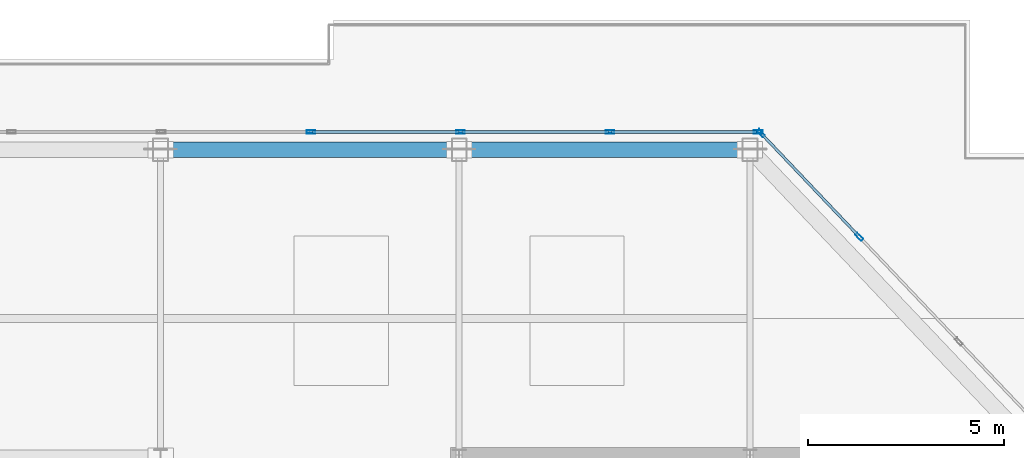
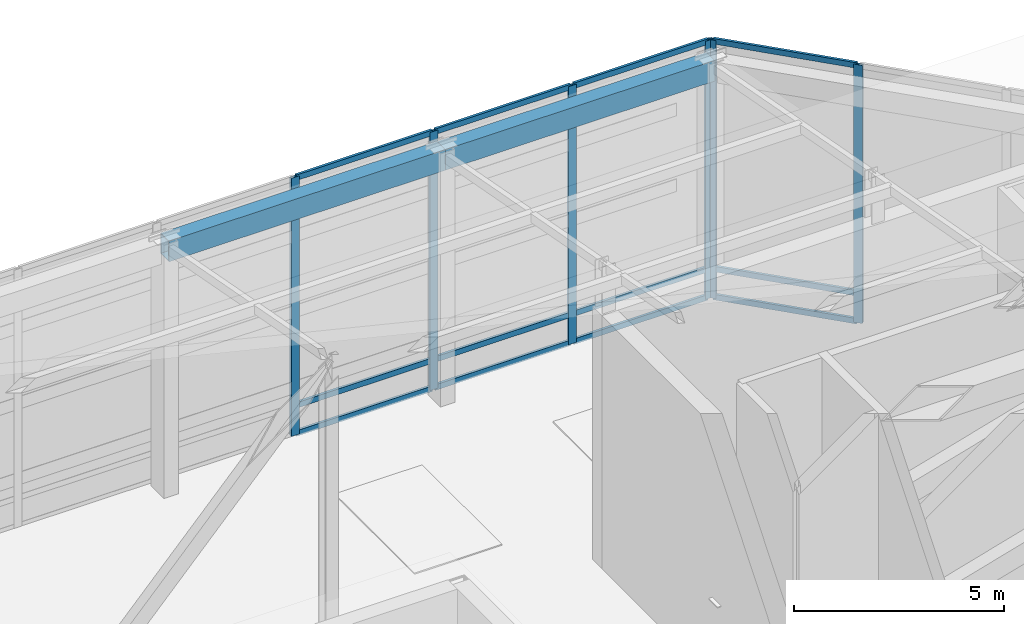
# One storey, part 19 of 25: 18 members, 2 beams, 2 elements without a shape of their own.
"""IFC4 building model written with IfcOpenShell, lengths in metres."""

from ifc_helpers import new_model, si_unit, direction, frame, origin, origin_2d, place, context, subcontext, project, spatial, hollow_rectangle, extrude, source, transform, mapped, material, layer, layer_set, material_profile, profile_set, type_object, type_shapes, element, aggregate, save


model = new_model("IFC4")

# Units and contexts
model_context = context("Model", 3, precision=1e-05, world=origin(), true_north=direction((0.0, 1.0)))
body_context = subcontext(model_context, "Body", "Model", "MODEL_VIEW")
ifc_project = project(units=[si_unit("LENGTHUNIT", "METRE"), si_unit("AREAUNIT", "SQUARE_METRE"), si_unit("VOLUMEUNIT", "CUBIC_METRE"), si_unit("PLANEANGLEUNIT", "RADIAN"), si_unit("MASSUNIT", "GRAM", prefix="KILO")], contexts=[model_context])

# Site, building, storey
site_placement = place(None, origin())
site = spatial("IfcSite", under=ifc_project, at=site_placement, CompositionType="ELEMENT")
building_placement = place(site_placement, origin())
building = spatial("IfcBuilding", under=site, at=building_placement, Name="Haelvirn Gate Laboratories", CompositionType="ELEMENT")
storey_placement = place(building_placement, frame((0.0, 0.0, 337.800048828125)))
storey = spatial("IfcBuildingStorey", under=building, at=storey_placement, Name="RF", CompositionType="ELEMENT", Elevation=337.800048828125)

# Beams
ifc_material_1 = material(Name="Steel SM420", Category="steel")
ifc_material_profile_1 = material_profile(ifc_material_1, hollow_rectangle(XDim=0.39990234375, YDim=0.60009765625, WallThickness=0.02490234375, at=origin_2d()), Name="BOX-600x400x25")
ifc_profile_set_1 = profile_set([ifc_material_profile_1], Name="Steel SM420")
beam_type = type_object("IfcBeamType", Name="BM-CROWN-CAP", PredefinedType="USERDEFINED", material=ifc_profile_set_1)
shared_shape_1 = source(origin(), body_context, "Body", "SweptSolid", [
    extrude(hollow_rectangle(XDim=0.39990234375, YDim=0.60009765625, WallThickness=0.02490234375, at=origin_2d()), origin(), (0.0, 0.0, 1.0), 7.39990234375),
])
beam_1_placement = place(storey_placement, frame((60.0, 41.60009765625, 7.050048828125), z_axis=(-1.0, 0.0, 0.0), x_axis=(0.0, -1.0, 0.0)))
element("IfcBeam", 1, at=beam_1_placement, inside=storey, type_object=beam_type, Name="RF Crown Frame Cap Ring Beam N7-N6", ObjectType="CROWN FRAME", PredefinedType="USERDEFINED", context=body_context, shape_type="MappedRepresentation", body=[
    mapped(shared_shape_1, transform((0.0, 0.0, 0.0), scale=1.0)),
])
shared_shape_2 = source(origin(), body_context, "Body", "SweptSolid", [
    extrude(hollow_rectangle(XDim=0.39990234375, YDim=0.60009765625, WallThickness=0.02490234375, at=origin_2d()), origin(), (0.0, 0.0, 1.0), 7.60009765625),
])
type_shapes(beam_type, [shared_shape_1, shared_shape_2])
beam_2_placement = place(storey_placement, frame((52.60009765625, 41.60009765625, 7.050048828125), z_axis=(-1.0, 0.0, 0.0), x_axis=(0.0, -1.0, 0.0)))
element("IfcBeam", 2, at=beam_2_placement, inside=storey, type_object=beam_type, Name="RF Crown Frame Cap Ring Beam N6-N5", ObjectType="CROWN FRAME", PredefinedType="USERDEFINED", context=body_context, shape_type="MappedRepresentation", body=[
    mapped(shared_shape_2, transform((0.0, 0.0, 0.0), scale=1.0)),
])

# Curtain wall, members
ifc_material_2 = material(Name="Anodised bronze unitised aluminium & triple low-E glass", Category="aluminium")
ifc_layer = layer(ifc_material_2, 0.19189453125, Name="CW-SYS-6")
ifc_layer_set = layer_set([ifc_layer], Name="Anodised bronze unitised aluminium & triple low-E glass")
curtain_wall_type = type_object("IfcCurtainWallType", Name="CW-SYS-6", PredefinedType="NOTDEFINED", material=ifc_layer_set)
curtain_wall_1_placement = place(storey_placement, origin())
curtain_wall_1 = element("IfcCurtainWall", 3, at=curtain_wall_1_placement, inside=storey, type_object=curtain_wall_type, Name="RF Unitised Curtain Wall CW-RF-RING-03", PredefinedType="NOTDEFINED")
ifc_material_3 = material(Name="Extruded aluminium 6063-T6 (anodised bronze)", Category="aluminium")
ifc_material_profile_2 = material_profile(ifc_material_3, hollow_rectangle(XDim=0.080078125, YDim=0.219970703125, WallThickness=0.006103515625, at=origin_2d()), Name="CWM-220x80x6")
ifc_profile_set_2 = profile_set([ifc_material_profile_2], Name="Extruded aluminium 6063-T6 (anodised bronze)")
member_type_1 = type_object("IfcMemberType", Name="CWM-T220", PredefinedType="MULLION", material=ifc_profile_set_2)
shared_shape_3 = source(origin(), body_context, "Body", "SweptSolid", [
    extrude(hollow_rectangle(XDim=0.080078125, YDim=0.219970703125, WallThickness=0.006103515625, at=origin_2d()), origin(), (0.0, 0.0, 1.0), 7.5),
])
type_shapes(member_type_1, [shared_shape_3])
member_1_placement = place(storey_placement, frame((62.783447265625, 39.38330078125, 0.0), z_axis=(0.0, 0.0, 1.0), x_axis=(-0.72499943359, -0.68874946192, 0.0)))
member_1 = element("IfcMember", 4, at=member_1_placement, type_object=member_type_1, Name="CW6 mullion 3", PredefinedType="MULLION", context=body_context, shape_type="MappedRepresentation", body=[
    mapped(shared_shape_3, transform((0.0, 0.0, 0.0), scale=1.0)),
])
member_2_placement = place(storey_placement, frame((60.277587890625, 42.02099609375, 0.0), z_axis=(0.0, 0.0, 1.0), x_axis=(-0.72499943359, -0.68874946192, 0.0)))
member_2 = element("IfcMember", 5, at=member_2_placement, type_object=member_type_1, Name="CW6 mullion 4", PredefinedType="MULLION", context=body_context, shape_type="MappedRepresentation", body=[
    mapped(shared_shape_3, transform((0.0, 0.0, 0.0), scale=1.0)),
])

curtain_wall_2_placement = place(storey_placement, origin())
curtain_wall_2 = element("IfcCurtainWall", 6, at=curtain_wall_2_placement, inside=storey, type_object=curtain_wall_type, Name="RF Unitised Curtain Wall CW-RF-RING-04", PredefinedType="NOTDEFINED")
member_3_placement = place(storey_placement, frame((60.2099609375, 42.050048828125, 0.0), z_axis=(0.0, 0.0, 1.0), x_axis=(0.0, -1.0, 0.0)))
member_3 = element("IfcMember", 7, at=member_3_placement, type_object=member_type_1, Name="CW6 mullion 1", PredefinedType="MULLION", context=body_context, shape_type="MappedRepresentation", body=[
    mapped(shared_shape_3, transform((0.0, 0.0, 0.0), scale=1.0)),
])
member_4_placement = place(storey_placement, frame((56.441650390625, 42.050048828125, 0.0), z_axis=(0.0, 0.0, 1.0), x_axis=(0.0, -1.0, 0.0)))
member_4 = element("IfcMember", 8, at=member_4_placement, type_object=member_type_1, Name="CW6 mullion 2", PredefinedType="MULLION", context=body_context, shape_type="MappedRepresentation", body=[
    mapped(shared_shape_3, transform((0.0, 0.0, 0.0), scale=1.0)),
])
member_5_placement = place(storey_placement, frame((52.63330078125, 42.050048828125, 0.0), z_axis=(0.0, 0.0, 1.0), x_axis=(0.0, -1.0, 0.0)))
member_5 = element("IfcMember", 9, at=member_5_placement, type_object=member_type_1, Name="CW6 mullion 3", PredefinedType="MULLION", context=body_context, shape_type="MappedRepresentation", body=[
    mapped(shared_shape_3, transform((0.0, 0.0, 0.0), scale=1.0)),
])
member_6_placement = place(storey_placement, frame((48.824951171875, 42.050048828125, 0.0), z_axis=(0.0, 0.0, 1.0), x_axis=(0.0, -1.0, 0.0)))
member_6 = element("IfcMember", 10, at=member_6_placement, type_object=member_type_1, Name="CW6 mullion 4", PredefinedType="MULLION", context=body_context, shape_type="MappedRepresentation", body=[
    mapped(shared_shape_3, transform((0.0, 0.0, 0.0), scale=1.0)),
])
ifc_material_profile_3 = material_profile(ifc_material_3, hollow_rectangle(XDim=0.070068359375, YDim=0.159912109375, WallThickness=0.0048828125, at=origin_2d()), Name="CWT-160x70x5")
ifc_profile_set_3 = profile_set([ifc_material_profile_3], Name="Extruded aluminium 6063-T6 (anodised bronze)")
member_type_2 = type_object("IfcMemberType", Name="CWT-T160", PredefinedType="USERDEFINED", material=ifc_profile_set_3)
shared_shape_4 = source(origin(), body_context, "Body", "SweptSolid", [
    extrude(hollow_rectangle(XDim=0.070068359375, YDim=0.159912109375, WallThickness=0.0048828125, at=origin_2d()), origin(), (0.0, 0.0, 1.0), 3.728271484375),
])
member_7_placement = place(storey_placement, frame((56.401611328125, 42.050048828125, 0.034912109375), z_axis=(-1.0, 0.0, 0.0), x_axis=(0.0, -1.0, 0.0)))
member_7 = element("IfcMember", 11, at=member_7_placement, type_object=member_type_2, Name="CW6 transom 2.1", ObjectType="TRANSOM", PredefinedType="USERDEFINED", context=body_context, shape_type="MappedRepresentation", body=[
    mapped(shared_shape_4, transform((0.0, 0.0, 0.0), scale=1.0)),
])
member_8_placement = place(storey_placement, frame((56.401611328125, 42.050048828125, 0.849853515625), z_axis=(-1.0, 0.0, 0.0), x_axis=(0.0, -1.0, 0.0)))
member_8 = element("IfcMember", 12, at=member_8_placement, type_object=member_type_2, Name="CW6 transom 2.2", ObjectType="TRANSOM", PredefinedType="USERDEFINED", context=body_context, shape_type="MappedRepresentation", body=[
    mapped(shared_shape_4, transform((0.0, 0.0, 0.0), scale=1.0)),
])
member_9_placement = place(storey_placement, frame((56.401611328125, 42.050048828125, 7.46484375), z_axis=(-1.0, 0.0, 0.0), x_axis=(0.0, -1.0, 0.0)))
member_9 = element("IfcMember", 13, at=member_9_placement, type_object=member_type_2, Name="CW6 transom 2.3", ObjectType="TRANSOM", PredefinedType="USERDEFINED", context=body_context, shape_type="MappedRepresentation", body=[
    mapped(shared_shape_4, transform((0.0, 0.0, 0.0), scale=1.0)),
])
member_10_placement = place(storey_placement, frame((52.59326171875, 42.050048828125, 0.034912109375), z_axis=(-1.0, 0.0, 0.0), x_axis=(0.0, -1.0, 0.0)))
member_10 = element("IfcMember", 14, at=member_10_placement, type_object=member_type_2, Name="CW6 transom 3.1", ObjectType="TRANSOM", PredefinedType="USERDEFINED", context=body_context, shape_type="MappedRepresentation", body=[
    mapped(shared_shape_4, transform((0.0, 0.0, 0.0), scale=1.0)),
])
member_11_placement = place(storey_placement, frame((52.59326171875, 42.050048828125, 0.849853515625), z_axis=(-1.0, 0.0, 0.0), x_axis=(0.0, -1.0, 0.0)))
member_11 = element("IfcMember", 15, at=member_11_placement, type_object=member_type_2, Name="CW6 transom 3.2", ObjectType="TRANSOM", PredefinedType="USERDEFINED", context=body_context, shape_type="MappedRepresentation", body=[
    mapped(shared_shape_4, transform((0.0, 0.0, 0.0), scale=1.0)),
])
member_12_placement = place(storey_placement, frame((52.59326171875, 42.050048828125, 7.46484375), z_axis=(-1.0, 0.0, 0.0), x_axis=(0.0, -1.0, 0.0)))
member_12 = element("IfcMember", 16, at=member_12_placement, type_object=member_type_2, Name="CW6 transom 3.3", ObjectType="TRANSOM", PredefinedType="USERDEFINED", context=body_context, shape_type="MappedRepresentation", body=[
    mapped(shared_shape_4, transform((0.0, 0.0, 0.0), scale=1.0)),
])
shared_shape_5 = source(origin(), body_context, "Body", "SweptSolid", [
    extrude(hollow_rectangle(XDim=0.070068359375, YDim=0.159912109375, WallThickness=0.0048828125, at=origin_2d()), origin(), (0.0, 0.0, 1.0), 3.688232421875),
])
member_13_placement = place(storey_placement, frame((60.169921875, 42.050048828125, 0.034912109375), z_axis=(-1.0, 0.0, 0.0), x_axis=(0.0, -1.0, 0.0)))
member_13 = element("IfcMember", 17, at=member_13_placement, type_object=member_type_2, Name="CW6 transom 1.1", ObjectType="TRANSOM", PredefinedType="USERDEFINED", context=body_context, shape_type="MappedRepresentation", body=[
    mapped(shared_shape_5, transform((0.0, 0.0, 0.0), scale=1.0)),
])
member_14_placement = place(storey_placement, frame((60.169921875, 42.050048828125, 0.849853515625), z_axis=(-1.0, 0.0, 0.0), x_axis=(0.0, -1.0, 0.0)))
member_14 = element("IfcMember", 18, at=member_14_placement, type_object=member_type_2, Name="CW6 transom 1.2", ObjectType="TRANSOM", PredefinedType="USERDEFINED", context=body_context, shape_type="MappedRepresentation", body=[
    mapped(shared_shape_5, transform((0.0, 0.0, 0.0), scale=1.0)),
])
member_15_placement = place(storey_placement, frame((60.169921875, 42.050048828125, 7.46484375), z_axis=(-1.0, 0.0, 0.0), x_axis=(0.0, -1.0, 0.0)))
member_15 = element("IfcMember", 19, at=member_15_placement, type_object=member_type_2, Name="CW6 transom 1.3", ObjectType="TRANSOM", PredefinedType="USERDEFINED", context=body_context, shape_type="MappedRepresentation", body=[
    mapped(shared_shape_5, transform((0.0, 0.0, 0.0), scale=1.0)),
])
aggregate(curtain_wall_2, [member_3, member_4, member_5, member_6, member_13, member_14, member_15, member_7, member_8, member_9, member_10, member_11, member_12])

# Member
shared_shape_6 = source(origin(), body_context, "Body", "SweptSolid", [
    extrude(hollow_rectangle(XDim=0.070068359375, YDim=0.159912109375, WallThickness=0.0048828125, at=origin_2d()), origin(), (0.0, 0.0, 1.0), 3.55810546875),
])
type_shapes(member_type_2, [shared_shape_4, shared_shape_5, shared_shape_6])
member_16_placement = place(storey_placement, frame((62.755859375, 39.412353515625, 0.034912109375), z_axis=(-0.688760281595, 0.724989154745, 0.0), x_axis=(-0.724989154745, -0.688760281595, 0.0)))
member_16 = element("IfcMember", 20, at=member_16_placement, type_object=member_type_2, Name="CW6 transom 3.1", ObjectType="TRANSOM", PredefinedType="USERDEFINED", context=body_context, shape_type="MappedRepresentation", body=[
    mapped(shared_shape_6, transform((0.0, 0.0, 0.0), scale=1.0)),
])

member_17_placement = place(storey_placement, frame((62.755859375, 39.412353515625, 0.849853515625), z_axis=(-0.688760281595, 0.724989154745, 0.0), x_axis=(-0.724989154745, -0.688760281595, 0.0)))
member_17 = element("IfcMember", 21, at=member_17_placement, type_object=member_type_2, Name="CW6 transom 3.2", ObjectType="TRANSOM", PredefinedType="USERDEFINED", context=body_context, shape_type="MappedRepresentation", body=[
    mapped(shared_shape_6, transform((0.0, 0.0, 0.0), scale=1.0)),
])

member_18_placement = place(storey_placement, frame((62.755859375, 39.412353515625, 7.46484375), z_axis=(-0.688760281595, 0.724989154745, 0.0), x_axis=(-0.724989154745, -0.688760281595, 0.0)))
member_18 = element("IfcMember", 22, at=member_18_placement, type_object=member_type_2, Name="CW6 transom 3.3", ObjectType="TRANSOM", PredefinedType="USERDEFINED", context=body_context, shape_type="MappedRepresentation", body=[
    mapped(shared_shape_6, transform((0.0, 0.0, 0.0), scale=1.0)),
])

aggregate(curtain_wall_1, [member_1, member_2, member_16, member_17, member_18])

save(model, "model.ifc")
